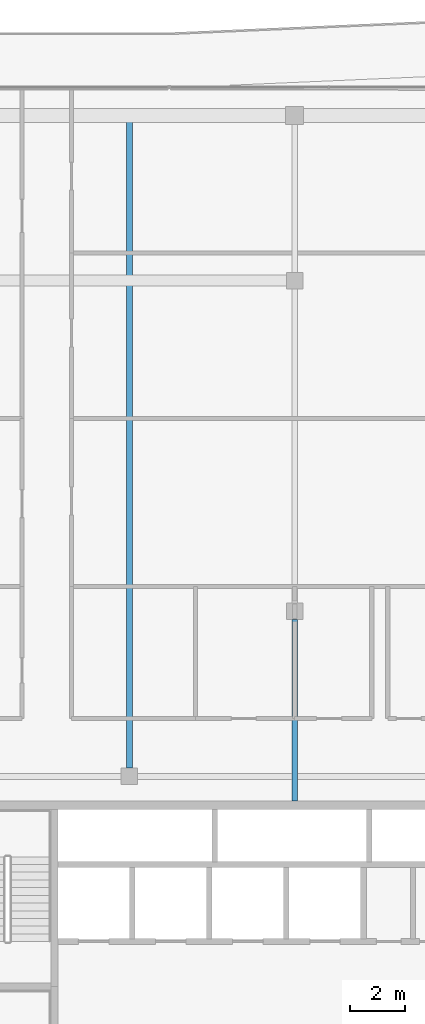
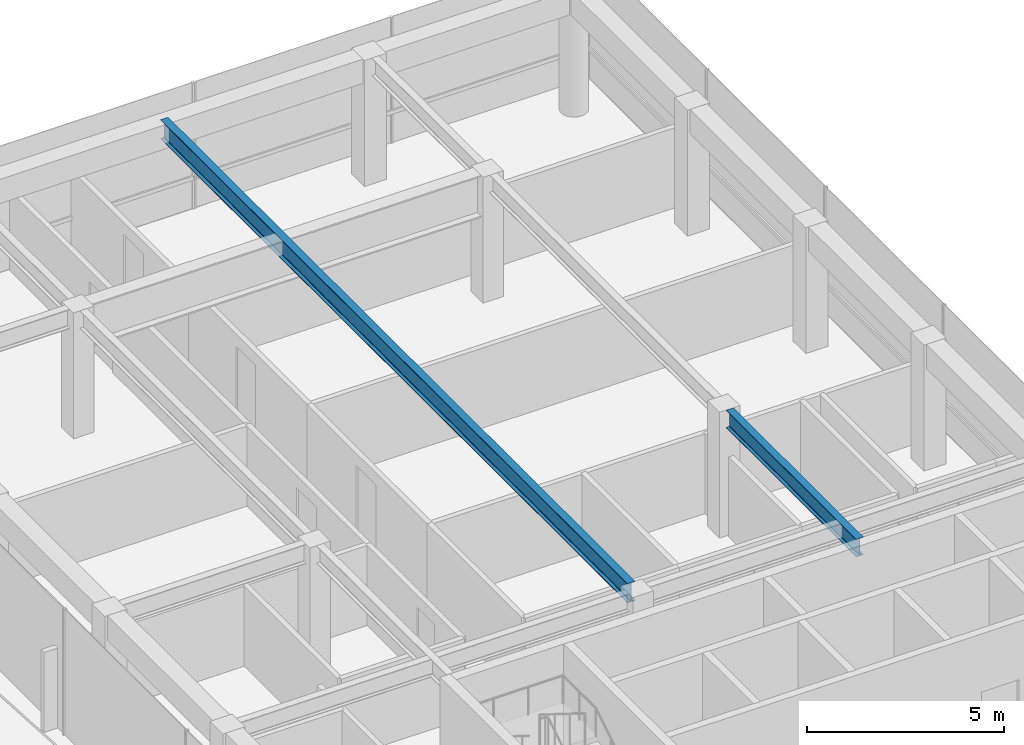
# One storey, part 8 of 19: 2 beams.
"""IFC4 building model written with IfcOpenShell, lengths in metres."""

from ifc_helpers import new_model, si_unit, direction, frame, origin, origin_2d, place, context, subcontext, project, spatial, i_section, extrude, material, material_profile, profile_set, type_object, element, save


model = new_model("IFC4")

# Units and contexts
model_context = context("Model", 3, precision=1e-05, world=origin(), true_north=direction((0.0, 1.0)))
body_context = subcontext(model_context, "Body", "Model", "MODEL_VIEW")
ifc_project = project(units=[si_unit("LENGTHUNIT", "METRE"), si_unit("AREAUNIT", "SQUARE_METRE"), si_unit("VOLUMEUNIT", "CUBIC_METRE"), si_unit("PLANEANGLEUNIT", "RADIAN"), si_unit("MASSUNIT", "GRAM", prefix="KILO")], contexts=[model_context])

# Site, building, storey
site_placement = place(None, origin())
site = spatial("IfcSite", under=ifc_project, at=site_placement, CompositionType="ELEMENT")
building_placement = place(site_placement, origin())
building = spatial("IfcBuilding", under=site, at=building_placement, Name="Welwitschia Terrace Campus", CompositionType="ELEMENT")
storey_placement = place(building_placement, frame((0.0, 0.0, 323.0)))
storey = spatial("IfcBuildingStorey", under=building, at=storey_placement, Name="L72", CompositionType="ELEMENT", Elevation=323.0)

# Beams
ifc_material_1 = material(Name="Steel S355", Category="steel")
ifc_material_profile_1 = material_profile(ifc_material_1, i_section(OverallWidth=0.2099609375, OverallDepth=0.550048828125, WebThickness=0.010986328125, FlangeThickness=0.01708984375, FilletRadius=0.02392578125, at=origin_2d()))
ifc_profile_set_1 = profile_set([ifc_material_profile_1], Name="Steel S355")
beam_type_1 = type_object("IfcBeamType", Name="Interior girder IPE 550", PredefinedType="BEAM", material=ifc_profile_set_1)
beam_1_placement = place(storey_placement, frame((18.0, 25.10107421875, 3.625), z_axis=(0.0, 1.0, 0.0), x_axis=(-1.0, 0.0, 0.0)))
element("IfcBeam", 1, at=beam_1_placement, inside=storey, type_object=beam_type_1, Name="Girder GB7", PredefinedType="BEAM", context=body_context, shape_type="SweptSolid", body=[
    extrude(i_section(OverallWidth=0.2099609375, OverallDepth=0.550048828125, WebThickness=0.010986328125, FlangeThickness=0.01708984375, FilletRadius=0.02392578125, at=origin_2d()), origin(), (0.0, 0.0, 1.0), 6.598388671875),
])
ifc_material_2 = material(Name="Steel S355", Category="steel")
ifc_material_profile_2 = material_profile(ifc_material_2, i_section(OverallWidth=0.219970703125, OverallDepth=0.60009765625, WebThickness=0.011962890625, FlangeThickness=0.01904296875, FilletRadius=0.02392578125, at=origin_2d()))
ifc_profile_set_2 = profile_set([ifc_material_profile_2], Name="Steel S355")
beam_type_2 = type_object("IfcBeamType", Name="Primary beam IPE 600", PredefinedType="BEAM", material=ifc_profile_set_2)
beam_2_placement = place(storey_placement, frame((12.0, 50.0, 3.60009765625), z_axis=(0.0, -1.0, 0.0), x_axis=(1.0, 0.0, 0.0)))
element("IfcBeam", 2, at=beam_2_placement, inside=storey, type_object=beam_type_2, Name="Primary beam PB7", PredefinedType="BEAM", context=body_context, shape_type="SweptSolid", body=[
    extrude(i_section(OverallWidth=0.219970703125, OverallDepth=0.60009765625, WebThickness=0.011962890625, FlangeThickness=0.01904296875, FilletRadius=0.02392578125, at=origin_2d()), origin(), (0.0, 0.0, 1.0), 23.699462890625),
])

save(model, "model.ifc")
